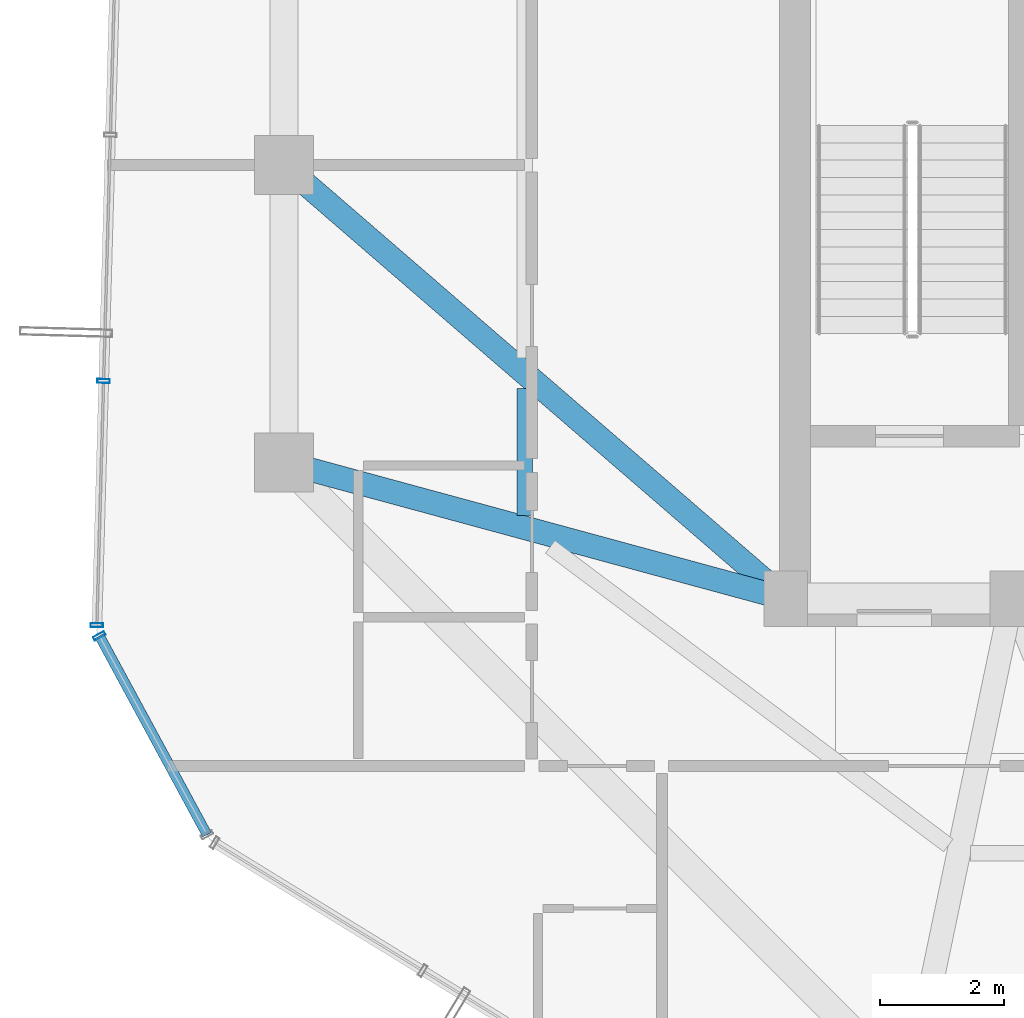
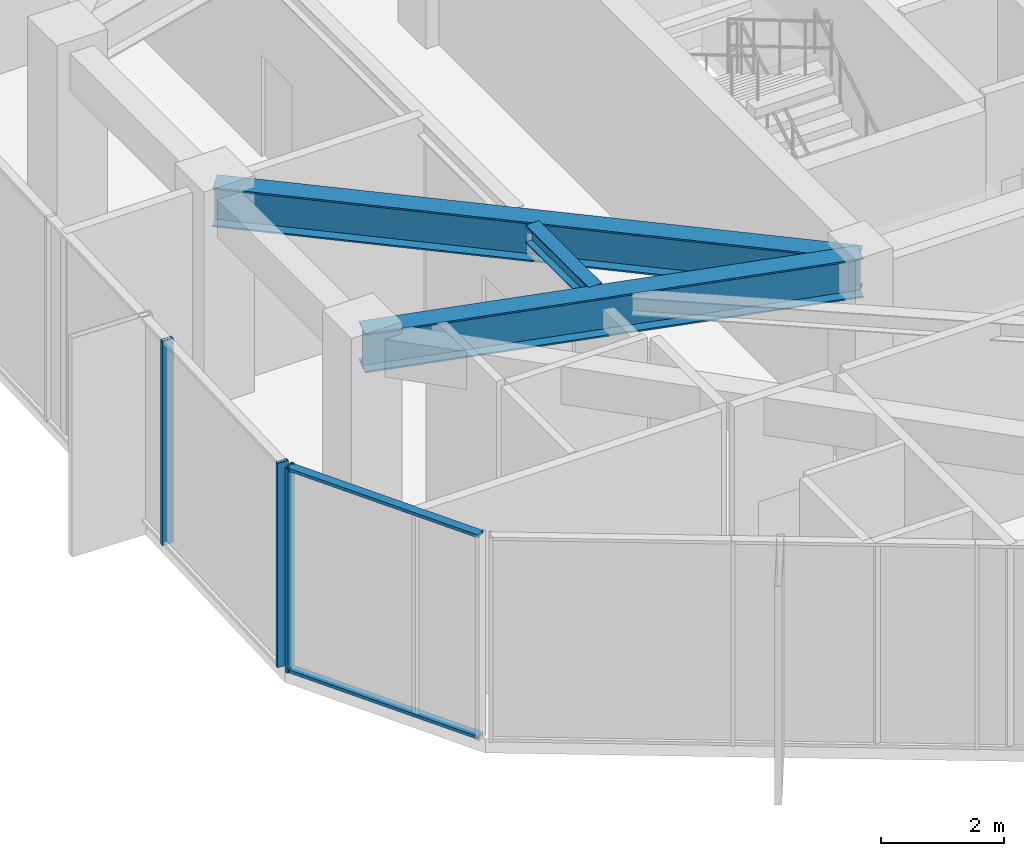
# One storey, part 3 of 22: 5 members, 3 beams, 2 elements without a shape of their own.
"""IFC4 building model written with IfcOpenShell, lengths in metres."""

from ifc_helpers import new_model, si_unit, direction, frame, origin, origin_2d, place, context, subcontext, project, spatial, hollow_rectangle, i_section, extrude, source, transform, mapped, material, layer, layer_set, material_profile, profile_set, type_object, element, aggregate, save


model = new_model("IFC4")

# Units and contexts
model_context = context("Model", 3, precision=1e-05, world=origin(), true_north=direction((0.0, 1.0)))
body_context = subcontext(model_context, "Body", "Model", "MODEL_VIEW")
ifc_project = project(units=[si_unit("LENGTHUNIT", "METRE"), si_unit("AREAUNIT", "SQUARE_METRE"), si_unit("VOLUMEUNIT", "CUBIC_METRE"), si_unit("PLANEANGLEUNIT", "RADIAN"), si_unit("MASSUNIT", "GRAM", prefix="KILO")], contexts=[model_context])

# Site, building, storey
site_placement = place(None, origin())
site = spatial("IfcSite", under=ifc_project, at=site_placement, CompositionType="ELEMENT")
building_placement = place(site_placement, origin())
building = spatial("IfcBuilding", under=site, at=building_placement, Name="Veraguas Prism Commons", CompositionType="ELEMENT")
storey_placement = place(building_placement, frame((0.0, 0.0, 211.35009765625)))
storey = spatial("IfcBuildingStorey", under=building, at=storey_placement, Name="L60", CompositionType="ELEMENT", Elevation=211.35009765625)

# Beams
ifc_material_1 = material(Name="Steel ASTM A992 Grade 50", Category="steel")
ifc_material_profile_1 = material_profile(ifc_material_1, i_section(OverallWidth=0.382080078125, OverallDepth=0.779052734375, WebThickness=0.01806640625, FlangeThickness=0.030029296875, at=origin_2d()), Name="W760X284")
ifc_profile_set_1 = profile_set([ifc_material_profile_1], Name="Steel ASTM A992 Grade 50")
beam_type_1 = type_object("IfcBeamType", Name="Assembly Primary Girder W760x284", PredefinedType="BEAM", material=ifc_profile_set_1)
beam_1_placement = place(storey_placement, frame((9.10009765625, 24.0, 3.67529296875), z_axis=(0.756607086554, -0.653869800936, 0.0), x_axis=(0.653869800936, 0.756607086554, 0.0)))
element("IfcBeam", 1, at=beam_1_placement, inside=storey, type_object=beam_type_1, Name="Radial Floor Girder L60-RD08", PredefinedType="BEAM", context=body_context, shape_type="SweptSolid", body=[
    extrude(i_section(OverallWidth=0.382080078125, OverallDepth=0.779052734375, WebThickness=0.01806640625, FlangeThickness=0.030029296875, at=origin_2d()), origin(), (0.0, 0.0, 1.0), 10.70556640625),
])
beam_2_placement = place(storey_placement, frame((9.10009765625, 19.199951171875, 3.67529296875), z_axis=(0.965038506703, -0.262108146725, 0.0), x_axis=(0.262108146725, 0.965038506703, 0.0)))
element("IfcBeam", 2, at=beam_2_placement, inside=storey, type_object=beam_type_1, Name="Radial Floor Girder L60-RD09", PredefinedType="BEAM", context=body_context, shape_type="SweptSolid", body=[
    extrude(i_section(OverallWidth=0.382080078125, OverallDepth=0.779052734375, WebThickness=0.01806640625, FlangeThickness=0.030029296875, at=origin_2d()), origin(), (0.0, 0.0, 1.0), 8.393310546875),
])
ifc_material_profile_2 = material_profile(ifc_material_1, i_section(OverallWidth=0.25390625, OverallDepth=0.35302734375, WebThickness=0.009521484375, FlangeThickness=0.016357421875, at=origin_2d()), Name="W360X91")
ifc_profile_set_2 = profile_set([ifc_material_profile_2], Name="Steel ASTM A992 Grade 50")
beam_type_2 = type_object("IfcBeamType", Name="Upper Floor Joist W360x91", PredefinedType="JOIST", material=ifc_profile_set_2)
beam_3_placement = place(storey_placement, frame((12.988037109375, 20.39013671875, 3.888427734375), z_axis=(0.0, -1.0, 0.0), x_axis=(1.0, 0.0, 0.0)))
element("IfcBeam", 3, at=beam_3_placement, inside=storey, type_object=beam_type_2, Name="Composite Floor Joist L60-JS08", PredefinedType="JOIST", context=body_context, shape_type="SweptSolid", body=[
    extrude(i_section(OverallWidth=0.25390625, OverallDepth=0.35302734375, WebThickness=0.009521484375, FlangeThickness=0.016357421875, at=origin_2d()), origin(), (0.0, 0.0, 1.0), 2.05029296875),
])

# Curtain wall, members
ifc_material_2 = material(Name="Anodised aluminium EN AW-6063 T6", Category="aluminium")
ifc_layer = layer(ifc_material_2, 0.199951171875, Name="Sky Lobby and Pool Acoustic Curtain Wall", Category="aluminium")
ifc_layer_set = layer_set([ifc_layer], Name="Anodised aluminium EN AW-6063 T6")
curtain_wall_type = type_object("IfcCurtainWallType", Name="Sky Lobby and Pool Acoustic Curtain Wall", PredefinedType="NOTDEFINED", material=ifc_layer_set)
curtain_wall_1_placement = place(storey_placement, origin())
curtain_wall_1 = element("IfcCurtainWall", 4, at=curtain_wall_1_placement, inside=storey, type_object=curtain_wall_type, Name="Chamfer Curtain Wall L60-C4", PredefinedType="NOTDEFINED")
ifc_material_profile_3 = material_profile(ifc_material_2, hollow_rectangle(XDim=0.06005859375, YDim=0.159912109375, WallThickness=0.0029296875, at=origin_2d()), Name="AL60X160X3")
ifc_profile_set_3 = profile_set([ifc_material_profile_3], Name="Anodised aluminium EN AW-6063 T6")
member_type_1 = type_object("IfcMemberType", Name="Curtain Wall Transom Heavy AL 60x160x3", PredefinedType="USERDEFINED", material=ifc_profile_set_3)
shared_shape_1 = source(origin(), body_context, "Body", "SweptSolid", [
    extrude(hollow_rectangle(XDim=0.06005859375, YDim=0.159912109375, WallThickness=0.0029296875, at=origin_2d()), origin(), (0.0, 0.0, 1.0), 3.649169921875),
])
member_1_placement = place(storey_placement, frame((6.11962890625, 16.398681640625, 0.02978515625), z_axis=(0.475933968407, -0.87948101612, 0.0), x_axis=(0.0, 0.0, 1.0)))
member_1 = element("IfcMember", 5, at=member_1_placement, type_object=member_type_1, Name="CW-SKY Transom 1", ObjectType="TRANSOM", PredefinedType="USERDEFINED", context=body_context, shape_type="MappedRepresentation", body=[
    mapped(shared_shape_1, transform((0.0, 0.0, 0.0), scale=1.0)),
])
member_2_placement = place(storey_placement, frame((6.11962890625, 16.398681640625, 4.034912109375), z_axis=(0.475933968407, -0.87948101612, 0.0), x_axis=(0.0, 0.0, 1.0)))
member_2 = element("IfcMember", 6, at=member_2_placement, type_object=member_type_1, Name="CW-SKY Transom 2", ObjectType="TRANSOM", PredefinedType="USERDEFINED", context=body_context, shape_type="MappedRepresentation", body=[
    mapped(shared_shape_1, transform((0.0, 0.0, 0.0), scale=1.0)),
])

curtain_wall_2_placement = place(storey_placement, origin())
curtain_wall_2 = element("IfcCurtainWall", 7, at=curtain_wall_2_placement, inside=storey, type_object=curtain_wall_type, Name="Tower Facade Curtain Wall L60-F3", PredefinedType="NOTDEFINED")
ifc_material_profile_4 = material_profile(ifc_material_2, hollow_rectangle(XDim=0.06494140625, YDim=0.199951171875, WallThickness=0.00390625, at=origin_2d()), Name="AL65X200X4")
ifc_profile_set_4 = profile_set([ifc_material_profile_4], Name="Anodised aluminium EN AW-6063 T6")
member_type_2 = type_object("IfcMemberType", Name="Curtain Wall Mullion Heavy AL 65x200x4", PredefinedType="MULLION", material=ifc_profile_set_4)
shared_shape_2 = source(origin(), body_context, "Body", "SweptSolid", [
    extrude(hollow_rectangle(XDim=0.06494140625, YDim=0.199951171875, WallThickness=0.00390625, at=origin_2d()), origin(), (0.0, 0.0, 1.0), 4.06494140625),
])
member_3_placement = place(storey_placement, frame((6.18701171875, 20.51416015625, 0.0), z_axis=(0.0, 0.0, 1.0), x_axis=(-0.027567473277, -0.999619944988, 0.0)))
member_3 = element("IfcMember", 8, at=member_3_placement, type_object=member_type_2, Name="CW-SKY Mullion 4", PredefinedType="MULLION", context=body_context, shape_type="MappedRepresentation", body=[
    mapped(shared_shape_2, transform((0.0, 0.0, 0.0), scale=1.0)),
])
member_4_placement = place(storey_placement, frame((6.078125, 16.572509765625, 0.0), z_axis=(0.0, 0.0, 1.0), x_axis=(-0.027567473277, -0.999619944988, 0.0)))
member_4 = element("IfcMember", 9, at=member_4_placement, type_object=member_type_2, Name="CW-SKY Mullion 5", PredefinedType="MULLION", context=body_context, shape_type="MappedRepresentation", body=[
    mapped(shared_shape_2, transform((0.0, 0.0, 0.0), scale=1.0)),
])
aggregate(curtain_wall_2, [member_3, member_4])

# Member
member_5_placement = place(storey_placement, frame((6.11962890625, 16.398681640625, 0.0), z_axis=(0.0, 0.0, 1.0), x_axis=(0.475928165389, -0.879484156418, 0.0)))
member_5 = element("IfcMember", 10, at=member_5_placement, type_object=member_type_2, Name="CW-SKY Mullion 1", PredefinedType="MULLION", context=body_context, shape_type="MappedRepresentation", body=[
    mapped(shared_shape_2, transform((0.0, 0.0, 0.0), scale=1.0)),
])

aggregate(curtain_wall_1, [member_5, member_1, member_2])

save(model, "model.ifc")
